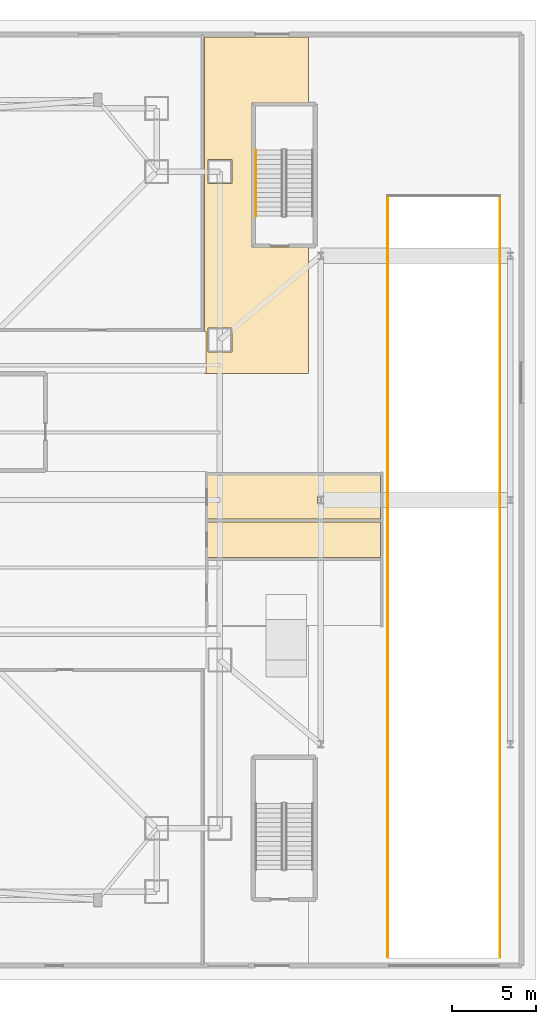
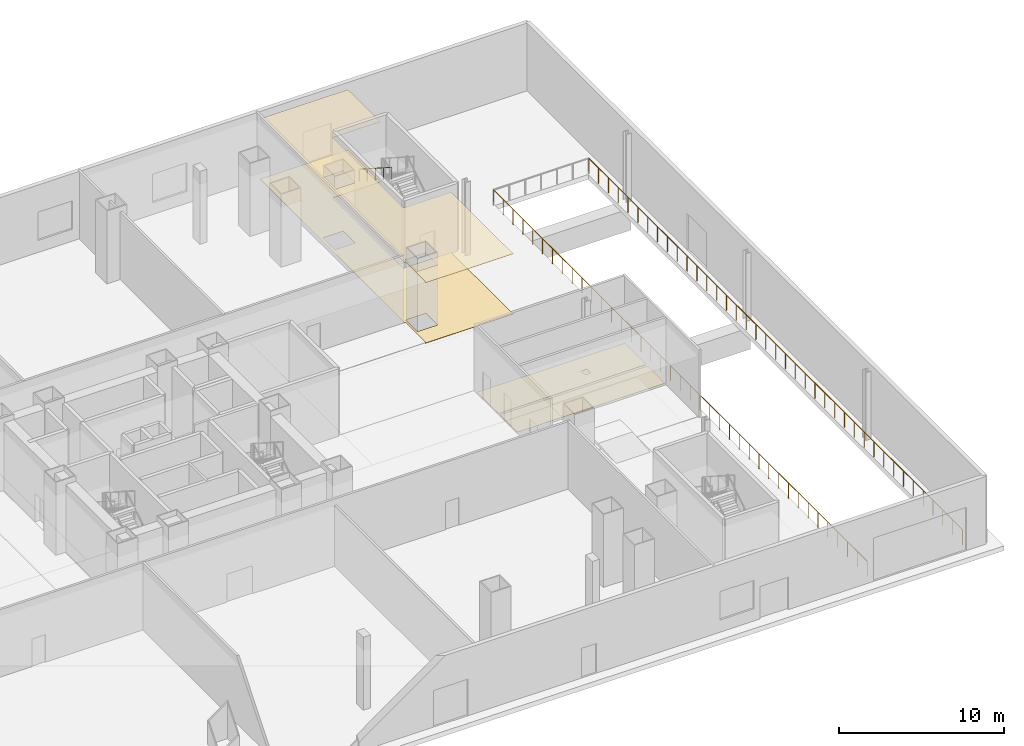
# One storey, part 22 of 24: 4 coverings, 3 railings.
"""IFC4 building model written with IfcOpenShell, lengths in metres."""

from ifc_helpers import new_model, si_unit, direction, frame, origin, origin_2d, place, context, subcontext, project, spatial, polyline, circle, outline, extrude, material, layer, layer_set, type_object, element, save


model = new_model("IFC4")

# Units and contexts
model_context = context("Model", 3, precision=1e-05, world=origin(), true_north=direction((0.0, 1.0)))
body_context = subcontext(model_context, "Body", "Model", "MODEL_VIEW")
ifc_project = project(units=[si_unit("LENGTHUNIT", "METRE"), si_unit("AREAUNIT", "SQUARE_METRE"), si_unit("VOLUMEUNIT", "CUBIC_METRE"), si_unit("PLANEANGLEUNIT", "RADIAN"), si_unit("MASSUNIT", "GRAM", prefix="KILO")], contexts=[model_context])

# Site, building, storey
site_placement = place(None, origin())
site = spatial("IfcSite", under=ifc_project, at=site_placement, CompositionType="ELEMENT")
building_placement = place(site_placement, origin())
building = spatial("IfcBuilding", under=site, at=building_placement, Name="Trevonay Congress Spire", CompositionType="ELEMENT")
storey_placement = place(building_placement, origin())
storey = spatial("IfcBuildingStorey", under=building, at=storey_placement, Name="L00", CompositionType="ELEMENT", Elevation=0.0)

# Coverings
ifc_material_1 = material(Name="Acoustic Mineral Fibre Board", Category="gypsum")
ifc_layer_1 = layer(ifc_material_1, 0.02490234375, Name="Acoustic Mineral Fibre Board")
ifc_layer_set_1 = layer_set([ifc_layer_1], Name="Acoustic Mineral Fibre Board")
covering_type_1 = type_object("IfcCoveringType", Name="COV-CEIL-ACOUSTIC", PredefinedType="CEILING", material=ifc_layer_set_1)
covering_1_placement = place(storey_placement, frame((0.0, 0.0, 4.449951171875)))
element("IfcCovering", 1, at=covering_1_placement, inside=storey, type_object=covering_type_1, Name="L00 Protected Exit Passage NE acoustic suspended ceiling", PredefinedType="CEILING", context=body_context, shape_type="SweptSolid", body=[
    extrude(outline(polyline([(25.169921875, 23.580078125), (25.169921875, 15.02001953125), (28.5, 15.02001953125), (28.5, 7.5), (22.35009765625, 7.5), (22.35009765625, 7.550048828125), (22.419921875, 7.550048828125), (22.419921875, 10.0), (22.35009765625, 10.0), (22.35009765625, 27.5), (28.5, 27.5), (28.5, 23.580078125), (25.169921875, 23.580078125)]), holes=[polyline([(23.9599609375, 8.7900390625), (23.9599609375, 10.2099609375), (22.5400390625, 10.2099609375), (22.5400390625, 8.7900390625), (23.9599609375, 8.7900390625)]), polyline([(23.9599609375, 18.7900390625), (23.9599609375, 20.2099609375), (22.5400390625, 20.2099609375), (22.5400390625, 18.7900390625), (23.9599609375, 18.7900390625)])]), origin(), (0.0, 0.0, 1.0), 0.025146484375),
])
ifc_material_2 = material(Name="Polished Granite Floor Tile", Category="masonry")
ifc_layer_2 = layer(ifc_material_2, 0.02001953125, Name="Polished Granite Floor Tile")
ifc_layer_set_2 = layer_set([ifc_layer_2], Name="Polished Granite Floor Tile")
covering_type_2 = type_object("IfcCoveringType", Name="COV-FLOOR-STONE", PredefinedType="FLOORING", material=ifc_layer_set_2)
covering_2_placement = place(storey_placement, origin())
element("IfcCovering", 2, at=covering_2_placement, inside=storey, type_object=covering_type_2, Name="L00 Male Public Restroom WC floor finish", PredefinedType="FLOORING", context=body_context, shape_type="SweptSolid", body=[
    extrude(outline(polyline([(22.47998046875, -3.419921875), (32.800048828125, -3.419921875), (32.800048828125, -1.300048828125), (22.47998046875, -1.300048828125), (22.47998046875, -3.419921875)])), origin(), (0.0, 0.0, 1.0), 0.02001953125),
])
covering_3_placement = place(storey_placement, origin())
element("IfcCovering", 3, at=covering_3_placement, inside=storey, type_object=covering_type_2, Name="L00 Floor Supplies and Copy Room floor finish", PredefinedType="FLOORING", context=body_context, shape_type="SweptSolid", body=[
    extrude(outline(polyline([(22.47998046875, 1.469970703125), (32.800048828125, 1.469970703125), (32.800048828125, -1.139892578125), (22.47998046875, -1.139892578125), (22.47998046875, 1.469970703125)]), holes=[polyline([(29.444091796875, -0.222412109375), (29.444091796875, 0.222412109375), (29.055908203125, 0.222412109375), (29.055908203125, -0.222412109375), (29.444091796875, -0.222412109375)])]), origin(), (0.0, 0.0, 1.0), 0.02001953125),
])
covering_4_placement = place(storey_placement, origin())
element("IfcCovering", 4, at=covering_4_placement, inside=storey, type_object=covering_type_2, Name="L00 Protected Exit Passage NE floor finish", PredefinedType="FLOORING", context=body_context, shape_type="SweptSolid", body=[
    extrude(outline(polyline([(25.169921875, 23.580078125), (25.169921875, 15.02001953125), (28.5, 15.02001953125), (28.5, 7.5), (22.35009765625, 7.5), (22.35009765625, 7.550048828125), (22.419921875, 7.550048828125), (22.419921875, 10.0), (22.35009765625, 10.0), (22.35009765625, 27.5), (28.5, 27.5), (28.5, 23.580078125), (25.169921875, 23.580078125)]), holes=[polyline([(23.9599609375, 8.7900390625), (23.9599609375, 10.2099609375), (22.5400390625, 10.2099609375), (22.5400390625, 8.7900390625), (23.9599609375, 8.7900390625)]), polyline([(23.9599609375, 18.7900390625), (23.9599609375, 20.2099609375), (22.5400390625, 20.2099609375), (22.5400390625, 18.7900390625), (23.9599609375, 18.7900390625)])]), origin(), (0.0, 0.0, 1.0), 0.02001953125),
])

# Railings
ifc_material_3 = material(Name="Pale Anodised Aluminium EN AW-6063-T6", Category="aluminium")
railing_type_1 = type_object("IfcRailingType", Name="RAL-EXT-GUARD-115", PredefinedType="GUARDRAIL", material=ifc_material_3)
railing_1_placement = place(storey_placement, frame((33.219970703125, -27.14990234375, 0.0)))
element("IfcRailing", 5, at=railing_1_placement, inside=storey, type_object=railing_type_1, Name="L00 perimeter safety guard GRD-L00-RAMPWELL-1", PredefinedType="GUARDRAIL", context=body_context, shape_type="SweptSolid", body=[
    extrude(circle(Radius=0.02392578125, at=origin_2d()), frame((0.0, 0.0, 1.1259765625), z_axis=(0.0, 1.0, 0.0), x_axis=(-1.0, 0.0, 0.0)), (0.0, 0.0, 1.0), 45.22998046875),
    extrude(circle(Radius=0.02099609375, at=origin_2d()), origin(), (0.0, 0.0, 1.0), 1.101806640625),
    extrude(circle(Radius=0.02099609375, at=origin_2d()), frame((0.0, 1.190185546875, 0.0)), (0.0, 0.0, 1.0), 1.101806640625),
    extrude(circle(Radius=0.02099609375, at=origin_2d()), frame((0.0, 2.380615234375, 0.0)), (0.0, 0.0, 1.0), 1.101806640625),
    extrude(circle(Radius=0.02099609375, at=origin_2d()), frame((0.0, 3.57080078125, 0.0)), (0.0, 0.0, 1.0), 1.101806640625),
    extrude(circle(Radius=0.02099609375, at=origin_2d()), frame((0.0, 4.760986328125, 0.0)), (0.0, 0.0, 1.0), 1.101806640625),
    extrude(circle(Radius=0.02099609375, at=origin_2d()), frame((0.0, 5.951416015625, 0.0)), (0.0, 0.0, 1.0), 1.101806640625),
    extrude(circle(Radius=0.02099609375, at=origin_2d()), frame((0.0, 7.1416015625, 0.0)), (0.0, 0.0, 1.0), 1.101806640625),
    extrude(circle(Radius=0.02099609375, at=origin_2d()), frame((0.0, 8.331787109375, 0.0)), (0.0, 0.0, 1.0), 1.101806640625),
    extrude(circle(Radius=0.02099609375, at=origin_2d()), frame((0.0, 9.522216796875, 0.0)), (0.0, 0.0, 1.0), 1.101806640625),
    extrude(circle(Radius=0.02099609375, at=origin_2d()), frame((0.0, 10.71240234375, 0.0)), (0.0, 0.0, 1.0), 1.101806640625),
    extrude(circle(Radius=0.02099609375, at=origin_2d()), frame((0.0, 11.902587890625, 0.0)), (0.0, 0.0, 1.0), 1.101806640625),
    extrude(circle(Radius=0.02099609375, at=origin_2d()), frame((0.0, 13.0927734375, 0.0)), (0.0, 0.0, 1.0), 1.101806640625),
    extrude(circle(Radius=0.02099609375, at=origin_2d()), frame((0.0, 14.283203125, 0.0)), (0.0, 0.0, 1.0), 1.101806640625),
    extrude(circle(Radius=0.02099609375, at=origin_2d()), frame((0.0, 15.473388671875, 0.0)), (0.0, 0.0, 1.0), 1.101806640625),
    extrude(circle(Radius=0.02099609375, at=origin_2d()), frame((0.0, 16.66357421875, 0.0)), (0.0, 0.0, 1.0), 1.101806640625),
    extrude(circle(Radius=0.02099609375, at=origin_2d()), frame((0.0, 17.85400390625, 0.0)), (0.0, 0.0, 1.0), 1.101806640625),
    extrude(circle(Radius=0.02099609375, at=origin_2d()), frame((0.0, 19.044189453125, 0.0)), (0.0, 0.0, 1.0), 1.101806640625),
    extrude(circle(Radius=0.02099609375, at=origin_2d()), frame((0.0, 20.234375, 0.0)), (0.0, 0.0, 1.0), 1.101806640625),
    extrude(circle(Radius=0.02099609375, at=origin_2d()), frame((0.0, 21.4248046875, 0.0)), (0.0, 0.0, 1.0), 1.101806640625),
    extrude(circle(Radius=0.02099609375, at=origin_2d()), frame((0.0, 22.614990234375, 0.0)), (0.0, 0.0, 1.0), 1.101806640625),
    extrude(circle(Radius=0.02099609375, at=origin_2d()), frame((0.0, 23.80517578125, 0.0)), (0.0, 0.0, 1.0), 1.101806640625),
    extrude(circle(Radius=0.02099609375, at=origin_2d()), frame((0.0, 24.99560546875, 0.0)), (0.0, 0.0, 1.0), 1.101806640625),
    extrude(circle(Radius=0.02099609375, at=origin_2d()), frame((0.0, 26.185791015625, 0.0)), (0.0, 0.0, 1.0), 1.101806640625),
    extrude(circle(Radius=0.02099609375, at=origin_2d()), frame((0.0, 27.3759765625, 0.0)), (0.0, 0.0, 1.0), 1.101806640625),
    extrude(circle(Radius=0.02099609375, at=origin_2d()), frame((0.0, 28.56640625, 0.0)), (0.0, 0.0, 1.0), 1.101806640625),
    extrude(circle(Radius=0.02099609375, at=origin_2d()), frame((0.0, 29.756591796875, 0.0)), (0.0, 0.0, 1.0), 1.101806640625),
    extrude(circle(Radius=0.02099609375, at=origin_2d()), frame((0.0, 30.94677734375, 0.0)), (0.0, 0.0, 1.0), 1.101806640625),
    extrude(circle(Radius=0.02099609375, at=origin_2d()), frame((0.0, 32.13720703125, 0.0)), (0.0, 0.0, 1.0), 1.101806640625),
    extrude(circle(Radius=0.02099609375, at=origin_2d()), frame((0.0, 33.327392578125, 0.0)), (0.0, 0.0, 1.0), 1.101806640625),
    extrude(circle(Radius=0.02099609375, at=origin_2d()), frame((0.0, 34.517578125, 0.0)), (0.0, 0.0, 1.0), 1.101806640625),
    extrude(circle(Radius=0.02099609375, at=origin_2d()), frame((0.0, 35.707763671875, 0.0)), (0.0, 0.0, 1.0), 1.101806640625),
    extrude(circle(Radius=0.02099609375, at=origin_2d()), frame((0.0, 36.898193359375, 0.0)), (0.0, 0.0, 1.0), 1.101806640625),
    extrude(circle(Radius=0.02099609375, at=origin_2d()), frame((0.0, 38.08837890625, 0.0)), (0.0, 0.0, 1.0), 1.101806640625),
    extrude(circle(Radius=0.02099609375, at=origin_2d()), frame((0.0, 39.278564453125, 0.0)), (0.0, 0.0, 1.0), 1.101806640625),
    extrude(circle(Radius=0.02099609375, at=origin_2d()), frame((0.0, 40.468994140625, 0.0)), (0.0, 0.0, 1.0), 1.101806640625),
    extrude(circle(Radius=0.02099609375, at=origin_2d()), frame((0.0, 41.6591796875, 0.0)), (0.0, 0.0, 1.0), 1.101806640625),
    extrude(circle(Radius=0.02099609375, at=origin_2d()), frame((0.0, 42.849365234375, 0.0)), (0.0, 0.0, 1.0), 1.101806640625),
    extrude(circle(Radius=0.02099609375, at=origin_2d()), frame((0.0, 44.039794921875, 0.0)), (0.0, 0.0, 1.0), 1.101806640625),
    extrude(circle(Radius=0.02099609375, at=origin_2d()), frame((0.0, 45.22998046875, 0.0)), (0.0, 0.0, 1.0), 1.101806640625),
])
railing_2_placement = place(storey_placement, frame((39.8798828125, 18.080078125, 0.0)))
element("IfcRailing", 6, at=railing_2_placement, inside=storey, type_object=railing_type_1, Name="L00 perimeter safety guard GRD-L00-RAMPWELL-3", PredefinedType="GUARDRAIL", context=body_context, shape_type="SweptSolid", body=[
    extrude(circle(Radius=0.02392578125, at=origin_2d()), frame((0.0, 0.0, 1.1259765625), z_axis=(0.0, -1.0, 0.0), x_axis=(1.0, 0.0, 0.0)), (0.0, 0.0, 1.0), 45.22998046875),
    extrude(circle(Radius=0.02099609375, at=origin_2d()), origin(), (0.0, 0.0, 1.0), 1.101806640625),
    extrude(circle(Radius=0.02099609375, at=origin_2d()), frame((0.0, -1.190185546875, 0.0)), (0.0, 0.0, 1.0), 1.101806640625),
    extrude(circle(Radius=0.02099609375, at=origin_2d()), frame((0.0, -2.380615234375, 0.0)), (0.0, 0.0, 1.0), 1.101806640625),
    extrude(circle(Radius=0.02099609375, at=origin_2d()), frame((0.0, -3.57080078125, 0.0)), (0.0, 0.0, 1.0), 1.101806640625),
    extrude(circle(Radius=0.02099609375, at=origin_2d()), frame((0.0, -4.760986328125, 0.0)), (0.0, 0.0, 1.0), 1.101806640625),
    extrude(circle(Radius=0.02099609375, at=origin_2d()), frame((0.0, -5.951416015625, 0.0)), (0.0, 0.0, 1.0), 1.101806640625),
    extrude(circle(Radius=0.02099609375, at=origin_2d()), frame((0.0, -7.1416015625, 0.0)), (0.0, 0.0, 1.0), 1.101806640625),
    extrude(circle(Radius=0.02099609375, at=origin_2d()), frame((0.0, -8.331787109375, 0.0)), (0.0, 0.0, 1.0), 1.101806640625),
    extrude(circle(Radius=0.02099609375, at=origin_2d()), frame((0.0, -9.522216796875, 0.0)), (0.0, 0.0, 1.0), 1.101806640625),
    extrude(circle(Radius=0.02099609375, at=origin_2d()), frame((0.0, -10.71240234375, 0.0)), (0.0, 0.0, 1.0), 1.101806640625),
    extrude(circle(Radius=0.02099609375, at=origin_2d()), frame((0.0, -11.902587890625, 0.0)), (0.0, 0.0, 1.0), 1.101806640625),
    extrude(circle(Radius=0.02099609375, at=origin_2d()), frame((0.0, -13.0927734375, 0.0)), (0.0, 0.0, 1.0), 1.101806640625),
    extrude(circle(Radius=0.02099609375, at=origin_2d()), frame((0.0, -14.283203125, 0.0)), (0.0, 0.0, 1.0), 1.101806640625),
    extrude(circle(Radius=0.02099609375, at=origin_2d()), frame((0.0, -15.473388671875, 0.0)), (0.0, 0.0, 1.0), 1.101806640625),
    extrude(circle(Radius=0.02099609375, at=origin_2d()), frame((0.0, -16.66357421875, 0.0)), (0.0, 0.0, 1.0), 1.101806640625),
    extrude(circle(Radius=0.02099609375, at=origin_2d()), frame((0.0, -17.85400390625, 0.0)), (0.0, 0.0, 1.0), 1.101806640625),
    extrude(circle(Radius=0.02099609375, at=origin_2d()), frame((0.0, -19.044189453125, 0.0)), (0.0, 0.0, 1.0), 1.101806640625),
    extrude(circle(Radius=0.02099609375, at=origin_2d()), frame((0.0, -20.234375, 0.0)), (0.0, 0.0, 1.0), 1.101806640625),
    extrude(circle(Radius=0.02099609375, at=origin_2d()), frame((0.0, -21.4248046875, 0.0)), (0.0, 0.0, 1.0), 1.101806640625),
    extrude(circle(Radius=0.02099609375, at=origin_2d()), frame((0.0, -22.614990234375, 0.0)), (0.0, 0.0, 1.0), 1.101806640625),
    extrude(circle(Radius=0.02099609375, at=origin_2d()), frame((0.0, -23.80517578125, 0.0)), (0.0, 0.0, 1.0), 1.101806640625),
    extrude(circle(Radius=0.02099609375, at=origin_2d()), frame((0.0, -24.99560546875, 0.0)), (0.0, 0.0, 1.0), 1.101806640625),
    extrude(circle(Radius=0.02099609375, at=origin_2d()), frame((0.0, -26.185791015625, 0.0)), (0.0, 0.0, 1.0), 1.101806640625),
    extrude(circle(Radius=0.02099609375, at=origin_2d()), frame((0.0, -27.3759765625, 0.0)), (0.0, 0.0, 1.0), 1.101806640625),
    extrude(circle(Radius=0.02099609375, at=origin_2d()), frame((0.0, -28.56640625, 0.0)), (0.0, 0.0, 1.0), 1.101806640625),
    extrude(circle(Radius=0.02099609375, at=origin_2d()), frame((0.0, -29.756591796875, 0.0)), (0.0, 0.0, 1.0), 1.101806640625),
    extrude(circle(Radius=0.02099609375, at=origin_2d()), frame((0.0, -30.94677734375, 0.0)), (0.0, 0.0, 1.0), 1.101806640625),
    extrude(circle(Radius=0.02099609375, at=origin_2d()), frame((0.0, -32.13720703125, 0.0)), (0.0, 0.0, 1.0), 1.101806640625),
    extrude(circle(Radius=0.02099609375, at=origin_2d()), frame((0.0, -33.327392578125, 0.0)), (0.0, 0.0, 1.0), 1.101806640625),
    extrude(circle(Radius=0.02099609375, at=origin_2d()), frame((0.0, -34.517578125, 0.0)), (0.0, 0.0, 1.0), 1.101806640625),
    extrude(circle(Radius=0.02099609375, at=origin_2d()), frame((0.0, -35.707763671875, 0.0)), (0.0, 0.0, 1.0), 1.101806640625),
    extrude(circle(Radius=0.02099609375, at=origin_2d()), frame((0.0, -36.898193359375, 0.0)), (0.0, 0.0, 1.0), 1.101806640625),
    extrude(circle(Radius=0.02099609375, at=origin_2d()), frame((0.0, -38.08837890625, 0.0)), (0.0, 0.0, 1.0), 1.101806640625),
    extrude(circle(Radius=0.02099609375, at=origin_2d()), frame((0.0, -39.278564453125, 0.0)), (0.0, 0.0, 1.0), 1.101806640625),
    extrude(circle(Radius=0.02099609375, at=origin_2d()), frame((0.0, -40.468994140625, 0.0)), (0.0, 0.0, 1.0), 1.101806640625),
    extrude(circle(Radius=0.02099609375, at=origin_2d()), frame((0.0, -41.6591796875, 0.0)), (0.0, 0.0, 1.0), 1.101806640625),
    extrude(circle(Radius=0.02099609375, at=origin_2d()), frame((0.0, -42.849365234375, 0.0)), (0.0, 0.0, 1.0), 1.101806640625),
    extrude(circle(Radius=0.02099609375, at=origin_2d()), frame((0.0, -44.039794921875, 0.0)), (0.0, 0.0, 1.0), 1.101806640625),
    extrude(circle(Radius=0.02099609375, at=origin_2d()), frame((0.0, -45.22998046875, 0.0)), (0.0, 0.0, 1.0), 1.101806640625),
])
railing_type_2 = type_object("IfcRailingType", Name="RAL-STAIR-HANDRAIL", PredefinedType="HANDRAIL", material=ifc_material_3)
railing_3_placement = place(storey_placement, frame((25.39990234375, 20.77001953125, 2.8798828125)))
element("IfcRailing", 7, at=railing_3_placement, inside=storey, type_object=railing_type_2, Name="L00 ST-6 stair handrail 2", PredefinedType="HANDRAIL", context=body_context, shape_type="SweptSolid", body=[
    extrude(circle(Radius=0.02392578125, at=origin_2d()), frame((0.0, 0.0, 0.8759765625), z_axis=(0.0, -0.841171666519, 0.540768182723), x_axis=(1.0, 0.0, 0.0)), (0.0, 0.0, 1.0), 4.66015625),
    extrude(circle(Radius=0.02099609375, at=origin_2d()), origin(), (0.0, 0.0, 1.0), 0.851806640625),
    extrude(circle(Radius=0.02099609375, at=origin_2d()), frame((0.0, -0.97998046875, 0.6298828125)), (0.0, 0.0, 1.0), 0.851806640625),
    extrude(circle(Radius=0.02099609375, at=origin_2d()), frame((0.0, -1.9599609375, 1.260009765625)), (0.0, 0.0, 1.0), 0.851806640625),
    extrude(circle(Radius=0.02099609375, at=origin_2d()), frame((0.0, -2.93994140625, 1.89013671875)), (0.0, 0.0, 1.0), 0.851806640625),
    extrude(circle(Radius=0.02099609375, at=origin_2d()), frame((0.0, -3.919921875, 2.52001953125)), (0.0, 0.0, 1.0), 0.851806640625),
])

save(model, "model.ifc")
